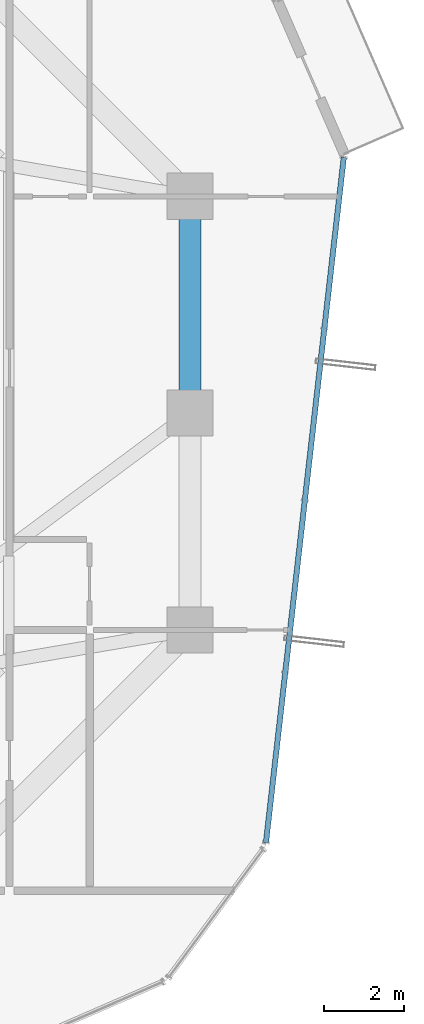
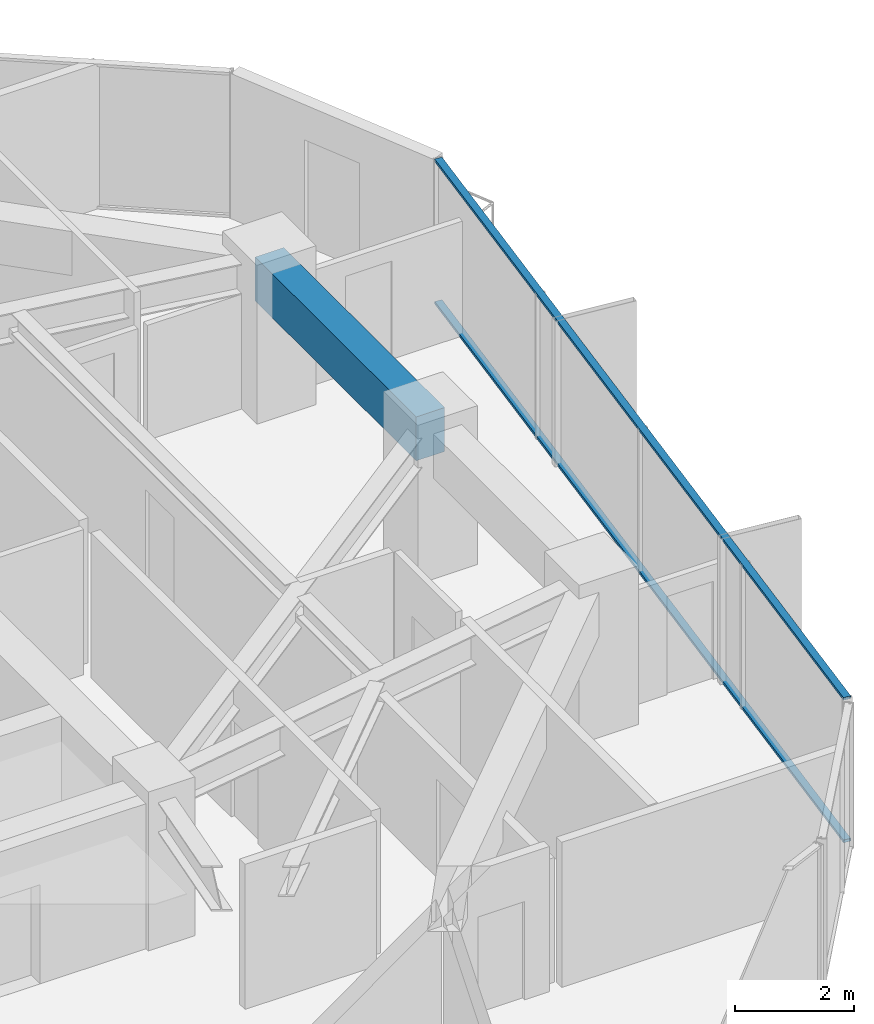
# One storey, part 15 of 29: 2 members, 1 beam, 1 element without a shape of its own.
"""IFC4 building model written with IfcOpenShell, lengths in metres."""

from ifc_helpers import new_model, si_unit, direction, frame, origin, origin_2d, place, context, subcontext, project, spatial, rectangle, hollow_rectangle, extrude, source, transform, mapped, material, layer, layer_set, material_profile, profile_set, type_object, element, aggregate, save


model = new_model("IFC4")

# Units and contexts
model_context = context("Model", 3, precision=1e-05, world=origin(), true_north=direction((0.0, 1.0)))
body_context = subcontext(model_context, "Body", "Model", "MODEL_VIEW")
ifc_project = project(units=[si_unit("LENGTHUNIT", "METRE"), si_unit("AREAUNIT", "SQUARE_METRE"), si_unit("VOLUMEUNIT", "CUBIC_METRE"), si_unit("PLANEANGLEUNIT", "RADIAN"), si_unit("MASSUNIT", "GRAM", prefix="KILO")], contexts=[model_context])

# Site, building, storey
site_placement = place(None, origin())
site = spatial("IfcSite", under=ifc_project, at=site_placement, CompositionType="ELEMENT")
building_placement = place(site_placement, origin())
building = spatial("IfcBuilding", under=site, at=building_placement, Name="Veraguas Prism Commons", CompositionType="ELEMENT")
storey_placement = place(building_placement, frame((0.0, 0.0, 105.699951171875)))
storey = spatial("IfcBuildingStorey", under=building, at=storey_placement, Name="L29", CompositionType="ELEMENT", Elevation=105.699951171875)

# Beam
ifc_material_1 = material(Name="Concrete C50/60", Category="concrete")
ifc_material_profile_1 = material_profile(ifc_material_1, rectangle(XDim=0.550048828125, YDim=0.89990234375, at=origin_2d()), Name="RC550X900")
ifc_profile_set_1 = profile_set([ifc_material_profile_1], Name="Concrete C50/60")
beam_type = type_object("IfcBeamType", Name="Perimeter Spandrel Lower RC 550x900", PredefinedType="SPANDREL", material=ifc_profile_set_1)
beam_placement = place(storey_placement, frame((40.199951171875, 24.0, 2.52001953125), z_axis=(0.0, 1.0, 0.0), x_axis=(-1.0, 0.0, 0.0)))
element("IfcBeam", 1, at=beam_placement, inside=storey, type_object=beam_type, Name="Perimeter Spandrel Beam L29-SP02", PredefinedType="SPANDREL", context=body_context, shape_type="SweptSolid", body=[
    extrude(rectangle(XDim=0.550048828125, YDim=0.89990234375, at=origin_2d()), origin(), (0.0, 0.0, 1.0), 5.39990234375),
])

# Curtain wall, members
ifc_material_2 = material(Name="Anodised aluminium EN AW-6063 T6", Category="aluminium")
ifc_layer = layer(ifc_material_2, 0.169921875, Name="Unitised Flush Curtain Wall Zone 2", Category="aluminium")
ifc_layer_set = layer_set([ifc_layer], Name="Anodised aluminium EN AW-6063 T6")
curtain_wall_type = type_object("IfcCurtainWallType", Name="Unitised Flush Curtain Wall Zone 2", PredefinedType="NOTDEFINED", material=ifc_layer_set)
curtain_wall_placement = place(storey_placement, origin())
curtain_wall = element("IfcCurtainWall", 2, at=curtain_wall_placement, inside=storey, type_object=curtain_wall_type, Name="Tower Facade Curtain Wall L29-F6", PredefinedType="NOTDEFINED")
ifc_material_profile_2 = material_profile(ifc_material_2, hollow_rectangle(XDim=0.054931640625, YDim=0.135009765625, WallThickness=0.0029296875, at=origin_2d()), Name="AL55X135X3")
ifc_profile_set_2 = profile_set([ifc_material_profile_2], Name="Anodised aluminium EN AW-6063 T6")
member_type = type_object("IfcMemberType", Name="Curtain Wall Transom Standard AL 55x135x3", PredefinedType="USERDEFINED", material=ifc_profile_set_2)
shared_shape = source(origin(), body_context, "Body", "SweptSolid", [
    extrude(hollow_rectangle(XDim=0.054931640625, YDim=0.135009765625, WallThickness=0.0029296875, at=origin_2d()), origin(), (0.0, 0.0, 1.0), 17.17431640625),
])
member_1_placement = place(storey_placement, frame((42.0908203125, 13.302734375, 0.027587890625), z_axis=(0.112855784025, 0.993611378765, 0.0), x_axis=(0.0, 0.0, 1.0)))
member_1 = element("IfcMember", 3, at=member_1_placement, type_object=member_type, Name="CW-Z2 Transom 1", ObjectType="TRANSOM", PredefinedType="USERDEFINED", context=body_context, shape_type="MappedRepresentation", body=[
    mapped(shared_shape, transform((0.0, 0.0, 0.0), scale=1.0)),
])
member_2_placement = place(storey_placement, frame((42.0908203125, 13.302734375, 2.942626953125), z_axis=(0.112855784025, 0.993611378765, 0.0), x_axis=(0.0, 0.0, 1.0)))
member_2 = element("IfcMember", 4, at=member_2_placement, type_object=member_type, Name="CW-Z2 Transom 2", ObjectType="TRANSOM", PredefinedType="USERDEFINED", context=body_context, shape_type="MappedRepresentation", body=[
    mapped(shared_shape, transform((0.0, 0.0, 0.0), scale=1.0)),
])
aggregate(curtain_wall, [member_1, member_2])

save(model, "model.ifc")
